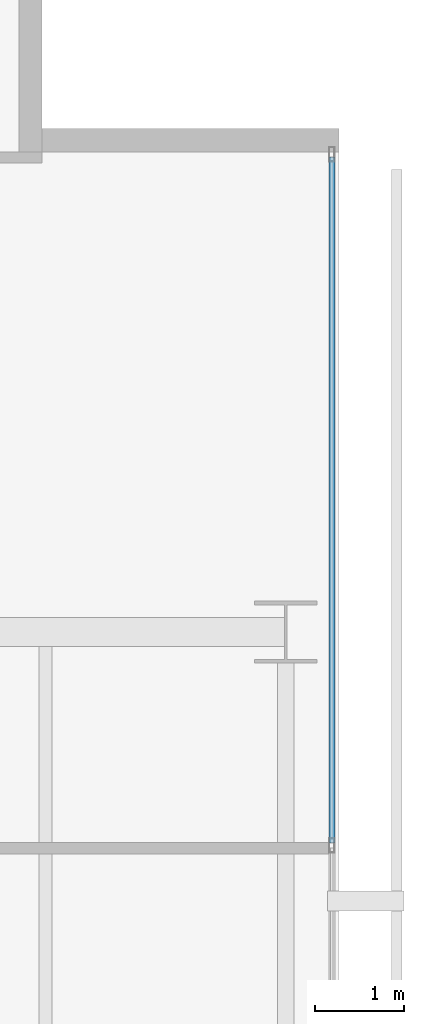
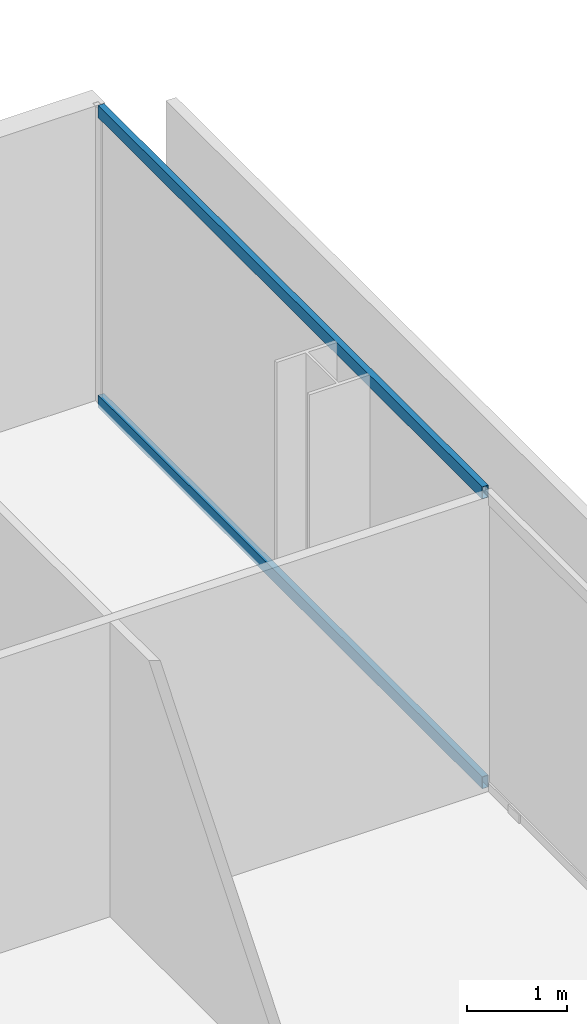
# One storey, part 29 of 40: 2 members, 1 element without a shape of its own.
"""IFC4 building model written with IfcOpenShell, lengths in metres."""

from ifc_helpers import new_model, si_unit, direction, frame, origin, origin_2d, place, context, subcontext, project, spatial, hollow_rectangle, extrude, material, layer, layer_set, material_profile, profile_set, type_object, element, aggregate, save


model = new_model("IFC4")

# Units and contexts
model_context = context("Model", 3, precision=1e-05, world=origin(), true_north=direction((0.0, 1.0)))
body_context = subcontext(model_context, "Body", "Model", "MODEL_VIEW")
ifc_project = project(units=[si_unit("LENGTHUNIT", "METRE"), si_unit("AREAUNIT", "SQUARE_METRE"), si_unit("VOLUMEUNIT", "CUBIC_METRE"), si_unit("PLANEANGLEUNIT", "RADIAN"), si_unit("MASSUNIT", "GRAM", prefix="KILO")], contexts=[model_context])

# Site, building, storey
site_placement = place(None, origin())
site = spatial("IfcSite", under=ifc_project, at=site_placement, CompositionType="ELEMENT")
building_placement = place(site_placement, origin())
building = spatial("IfcBuilding", under=site, at=building_placement, Name="Maruvema Waterfront Hotel and Observation Tower", CompositionType="ELEMENT")
storey_placement = place(building_placement, frame((0.0, 0.0, 53.89990234375)))
storey = spatial("IfcBuildingStorey", under=building, at=storey_placement, Name="L12", CompositionType="ELEMENT", Elevation=53.89990234375)

# Curtain wall, members
ifc_material_1 = material(Name="Anodised bronze aluminium and solar-control low-E IGU", Category="aluminium")
ifc_layer = layer(ifc_material_1, 0.159912109375, Name="Zone 1 Bronze Inner Thermal Curtain Wall System CW-02")
ifc_layer_set = layer_set([ifc_layer], Name="Anodised bronze aluminium and solar-control low-E IGU")
curtain_wall_type = type_object("IfcCurtainWallType", Name="Zone 1 Bronze Inner Thermal Curtain Wall System CW-02", PredefinedType="USERDEFINED", material=ifc_layer_set)
curtain_wall_placement = place(storey_placement, origin())
curtain_wall = element("IfcCurtainWall", 1, at=curtain_wall_placement, inside=storey, type_object=curtain_wall_type, Name="L12 Curtain Wall CW-L12-E", ObjectType="UNITISED CURTAIN WALL", PredefinedType="USERDEFINED")
ifc_material_2 = material(Name="Anodised architectural bronze aluminium", Category="aluminium")
ifc_material_profile = material_profile(ifc_material_2, hollow_rectangle(XDim=0.070068359375, YDim=0.14990234375, WallThickness=0.00390625, at=origin_2d()), Name="ALU-T70x150")
ifc_profile_set = profile_set([ifc_material_profile], Name="Anodised architectural bronze aluminium")
member_type = type_object("IfcMemberType", Name="Curtain Wall Horizontal Transom ALU-T70x150", PredefinedType="USERDEFINED", material=ifc_profile_set)
member_1_placement = place(storey_placement, frame((64.719970703125, 42.6298828125, 0.030029296875), z_axis=(0.0, 1.0, 0.0), x_axis=(-1.0, 0.0, 0.0)))
member_1 = element("IfcMember", 2, at=member_1_placement, type_object=member_type, Name="CW-02 transom 6.1", ObjectType="TRANSOM", PredefinedType="USERDEFINED", context=body_context, shape_type="SweptSolid", body=[
    extrude(hollow_rectangle(XDim=0.070068359375, YDim=0.14990234375, WallThickness=0.00390625, at=origin_2d()), origin(), (0.0, 0.0, 1.0), 7.710205078125),
])
member_2_placement = place(storey_placement, frame((64.719970703125, 42.6298828125, 3.580078125), z_axis=(0.0, 1.0, 0.0), x_axis=(-1.0, 0.0, 0.0)))
member_2 = element("IfcMember", 3, at=member_2_placement, type_object=member_type, Name="CW-02 transom 6.2", ObjectType="TRANSOM", PredefinedType="USERDEFINED", context=body_context, shape_type="SweptSolid", body=[
    extrude(hollow_rectangle(XDim=0.070068359375, YDim=0.14990234375, WallThickness=0.00390625, at=origin_2d()), origin(), (0.0, 0.0, 1.0), 7.710205078125),
])
aggregate(curtain_wall, [member_1, member_2])

save(model, "model.ifc")
